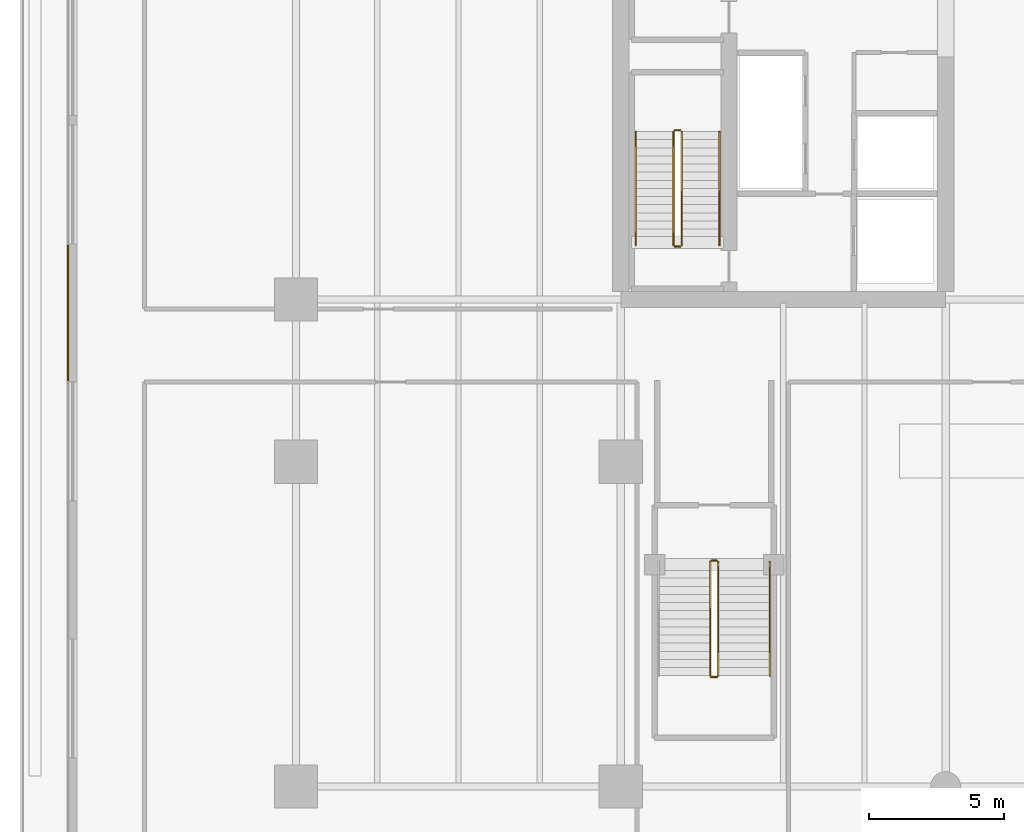
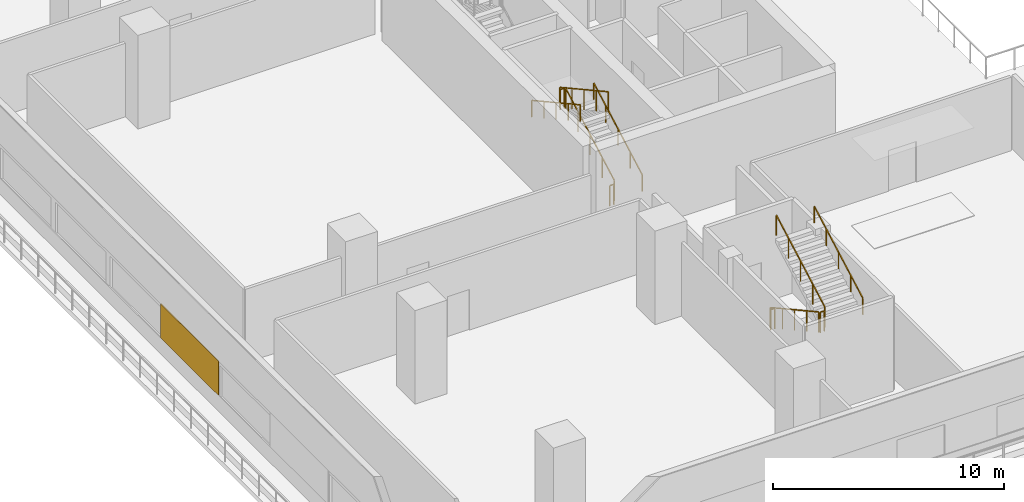
# One storey, part 19 of 27: 11 railings, 1 covering.
"""IFC4 building model written with IfcOpenShell, lengths in metres."""

from ifc_helpers import new_model, si_unit, direction, frame, origin, origin_2d, place, context, subcontext, project, spatial, rectangle, extrude, material, layer, layer_set, type_object, element, save


model = new_model("IFC4")

# Units and contexts
model_context = context("Model", 3, precision=1e-05, world=origin(), true_north=direction((0.0, 1.0)))
body_context = subcontext(model_context, "Body", "Model", "MODEL_VIEW")
ifc_project = project(units=[si_unit("LENGTHUNIT", "METRE"), si_unit("AREAUNIT", "SQUARE_METRE"), si_unit("VOLUMEUNIT", "CUBIC_METRE"), si_unit("PLANEANGLEUNIT", "RADIAN"), si_unit("MASSUNIT", "GRAM", prefix="KILO")], contexts=[model_context])

# Site, building, storey
site_placement = place(None, origin())
site = spatial("IfcSite", under=ifc_project, at=site_placement, CompositionType="ELEMENT")
building_placement = place(site_placement, origin())
building = spatial("IfcBuilding", under=site, at=building_placement, Name="Tanjung Sevakor Pilgrim Tower", CompositionType="ELEMENT")
storey_placement = place(building_placement, frame((0.0, 0.0, 9.89990234375)))
storey = spatial("IfcBuildingStorey", under=building, at=storey_placement, Name="L03", CompositionType="ELEMENT", Elevation=9.89990234375)

# Covering
ifc_material_1 = material(Name="Reconstructed Limestone Cladding", Category="masonry")
ifc_layer = layer(ifc_material_1, 0.044921875)
ifc_layer_set = layer_set([ifc_layer], Name="COV-CLAD-LIMESTONE")
covering_type = type_object("IfcCoveringType", Name="COV-CLAD-LIMESTONE", PredefinedType="CLADDING", material=ifc_layer_set)
covering_placement = place(storey_placement, frame((3.577392578125, 24.10009765625, 0.85009765625), z_axis=(0.0, 0.0, 1.0), x_axis=(0.0, -1.0, 0.0)))
element("IfcCovering", 1, at=covering_placement, inside=storey, type_object=covering_type, Name="L03 Warm Limestone Pier Panel EW-L03-MAIN-7-3", PredefinedType="CLADDING", context=body_context, shape_type="SweptSolid", body=[
    extrude(rectangle(XDim=5.0, YDim=0.044921875, at=origin_2d()), origin(), (0.0, 0.0, 1.0), 1.81005859375),
])

# Railings
ifc_material_2 = material(Name="Steel S355J2", Category="steel")
railing_type_1 = type_object("IfcRailingType", Name="RL-STAIR-GUARD", PredefinedType="GUARDRAIL", material=ifc_material_2)
railing_1_placement = place(storey_placement, frame((26.25, 26.60009765625, 0.1650390625)))
element("IfcRailing", 2, at=railing_1_placement, inside=storey, type_object=railing_type_1, Name="L03 TS-W1 stair guard 1", PredefinedType="GUARDRAIL", context=body_context, shape_type="SweptSolid", body=[
    extrude(rectangle(XDim=0.0479, YDim=0.0479), frame((0.0, 0.0, 1.076171875), z_axis=(0.0, 0.876208380975, 0.481932436249), x_axis=(-1.0, 0.0, 0.0)), (0.0, 0.0, 1.0), 4.793212890625),
    extrude(rectangle(XDim=0.042, YDim=0.042), origin(), (0.0, 0.0, 1.0), 1.052001953125),
    extrude(rectangle(XDim=0.042, YDim=0.042), frame((0.0, 1.050048828125, 0.57763671875)), (0.0, 0.0, 1.0), 1.052001953125),
    extrude(rectangle(XDim=0.042, YDim=0.042), frame((0.0, 2.10009765625, 1.155029296875)), (0.0, 0.0, 1.0), 1.052001953125),
    extrude(rectangle(XDim=0.042, YDim=0.042), frame((0.0, 3.14990234375, 1.732421875)), (0.0, 0.0, 1.0), 1.052001953125),
    extrude(rectangle(XDim=0.042, YDim=0.042), frame((0.0, 4.199951171875, 2.31005859375)), (0.0, 0.0, 1.0), 1.052001953125),
])
railing_2_placement = place(storey_placement, frame((26.199951171875, 30.85009765625, 2.47509765625)))
element("IfcRailing", 3, at=railing_2_placement, inside=storey, type_object=railing_type_1, Name="L03 TS-W1 stair guard 2", PredefinedType="GUARDRAIL", context=body_context, shape_type="SweptSolid", body=[
    extrude(rectangle(XDim=0.0479, YDim=0.0479), frame((0.0, 0.0, 1.076171875), z_axis=(-1.0, 0.0, 0.0), x_axis=(0.0, -1.0, 0.0)), (0.0, 0.0, 1.0), 0.199951171875),
    extrude(rectangle(XDim=0.042, YDim=0.042), origin(), (0.0, 0.0, 1.0), 1.052001953125),
    extrude(rectangle(XDim=0.042, YDim=0.042), frame((-0.199951171875, 0.0, 0.0)), (0.0, 0.0, 1.0), 1.052001953125),
])
railing_3_placement = place(storey_placement, frame((25.949951171875, 30.800048828125, 2.64013671875)))
element("IfcRailing", 4, at=railing_3_placement, inside=storey, type_object=railing_type_1, Name="L03 TS-W1 stair guard 3", PredefinedType="GUARDRAIL", context=body_context, shape_type="SweptSolid", body=[
    extrude(rectangle(XDim=0.0479, YDim=0.0479), frame((0.0, 0.0, 1.076171875), z_axis=(0.0, -0.876208380975, 0.481932436249), x_axis=(1.0, 0.0, 0.0)), (0.0, 0.0, 1.0), 4.793212890625),
    extrude(rectangle(XDim=0.042, YDim=0.042), origin(), (0.0, 0.0, 1.0), 1.052001953125),
    extrude(rectangle(XDim=0.042, YDim=0.042), frame((0.0, -1.050048828125, 0.57763671875)), (0.0, 0.0, 1.0), 1.052001953125),
    extrude(rectangle(XDim=0.042, YDim=0.042), frame((0.0, -2.10009765625, 1.155029296875)), (0.0, 0.0, 1.0), 1.052001953125),
    extrude(rectangle(XDim=0.042, YDim=0.042), frame((0.0, -3.14990234375, 1.732421875)), (0.0, 0.0, 1.0), 1.052001953125),
    extrude(rectangle(XDim=0.042, YDim=0.042), frame((0.0, -4.199951171875, 2.31005859375)), (0.0, 0.0, 1.0), 1.052001953125),
])
railing_4_placement = place(storey_placement, frame((26.199951171875, 26.550048828125, 0.0)))
element("IfcRailing", 5, at=railing_4_placement, inside=storey, type_object=railing_type_1, Name="L03 TS-W1 stair guard 4", PredefinedType="GUARDRAIL", context=body_context, shape_type="SweptSolid", body=[
    extrude(rectangle(XDim=0.0479, YDim=0.0479), frame((0.0, 0.0, 1.076171875), z_axis=(-1.0, 0.0, 0.0), x_axis=(0.0, -1.0, 0.0)), (0.0, 0.0, 1.0), 0.199951171875),
    extrude(rectangle(XDim=0.042, YDim=0.042), origin(), (0.0, 0.0, 1.0), 1.052001953125),
    extrude(rectangle(XDim=0.042, YDim=0.042), frame((-0.199951171875, 0.0, 0.0)), (0.0, 0.0, 1.0), 1.052001953125),
])
railing_5_placement = place(storey_placement, frame((27.300048828125, 14.89990234375, 0.1650390625)))
element("IfcRailing", 6, at=railing_5_placement, inside=storey, type_object=railing_type_1, Name="L03 PS-1 stair guard 1", PredefinedType="GUARDRAIL", context=body_context, shape_type="SweptSolid", body=[
    extrude(rectangle(XDim=0.0479, YDim=0.0479), frame((0.0, 0.0, 1.076171875), z_axis=(0.0, -0.876208380975, 0.481932436249), x_axis=(1.0, 0.0, 0.0)), (0.0, 0.0, 1.0), 4.793212890625),
    extrude(rectangle(XDim=0.042, YDim=0.042), origin(), (0.0, 0.0, 1.0), 1.052001953125),
    extrude(rectangle(XDim=0.042, YDim=0.042), frame((0.0, -1.050048828125, 0.57763671875)), (0.0, 0.0, 1.0), 1.052001953125),
    extrude(rectangle(XDim=0.042, YDim=0.042), frame((0.0, -2.10009765625, 1.155029296875)), (0.0, 0.0, 1.0), 1.052001953125),
    extrude(rectangle(XDim=0.042, YDim=0.042), frame((0.0, -3.14990234375, 1.732421875)), (0.0, 0.0, 1.0), 1.052001953125),
    extrude(rectangle(XDim=0.042, YDim=0.042), frame((0.0, -4.199951171875, 2.31005859375)), (0.0, 0.0, 1.0), 1.052001953125),
])
railing_6_placement = place(storey_placement, frame((27.35009765625, 10.64990234375, 2.47509765625)))
element("IfcRailing", 7, at=railing_6_placement, inside=storey, type_object=railing_type_1, Name="L03 PS-1 stair guard 2", PredefinedType="GUARDRAIL", context=body_context, shape_type="SweptSolid", body=[
    extrude(rectangle(XDim=0.0479, YDim=0.0479), frame((0.0, 0.0, 1.076171875), z_axis=(1.0, 0.0, 0.0), x_axis=(0.0, 1.0, 0.0)), (0.0, 0.0, 1.0), 0.199951171875),
    extrude(rectangle(XDim=0.042, YDim=0.042), origin(), (0.0, 0.0, 1.0), 1.052001953125),
    extrude(rectangle(XDim=0.042, YDim=0.042), frame((0.199951171875, 0.0, 0.0)), (0.0, 0.0, 1.0), 1.052001953125),
])
railing_7_placement = place(storey_placement, frame((27.60009765625, 10.699951171875, 2.64013671875)))
element("IfcRailing", 8, at=railing_7_placement, inside=storey, type_object=railing_type_1, Name="L03 PS-1 stair guard 3", PredefinedType="GUARDRAIL", context=body_context, shape_type="SweptSolid", body=[
    extrude(rectangle(XDim=0.0479, YDim=0.0479), frame((0.0, 0.0, 1.076171875), z_axis=(0.0, 0.876208380975, 0.481932436249), x_axis=(-1.0, 0.0, 0.0)), (0.0, 0.0, 1.0), 4.793212890625),
    extrude(rectangle(XDim=0.042, YDim=0.042), origin(), (0.0, 0.0, 1.0), 1.052001953125),
    extrude(rectangle(XDim=0.042, YDim=0.042), frame((0.0, 1.050048828125, 0.57763671875)), (0.0, 0.0, 1.0), 1.052001953125),
    extrude(rectangle(XDim=0.042, YDim=0.042), frame((0.0, 2.10009765625, 1.155029296875)), (0.0, 0.0, 1.0), 1.052001953125),
    extrude(rectangle(XDim=0.042, YDim=0.042), frame((0.0, 3.14990234375, 1.732421875)), (0.0, 0.0, 1.0), 1.052001953125),
    extrude(rectangle(XDim=0.042, YDim=0.042), frame((0.0, 4.199951171875, 2.31005859375)), (0.0, 0.0, 1.0), 1.052001953125),
])
railing_8_placement = place(storey_placement, frame((27.35009765625, 14.949951171875, 0.0)))
element("IfcRailing", 9, at=railing_8_placement, inside=storey, type_object=railing_type_1, Name="L03 PS-1 stair guard 4", PredefinedType="GUARDRAIL", context=body_context, shape_type="SweptSolid", body=[
    extrude(rectangle(XDim=0.0479, YDim=0.0479), frame((0.0, 0.0, 1.076171875), z_axis=(1.0, 0.0, 0.0), x_axis=(0.0, 1.0, 0.0)), (0.0, 0.0, 1.0), 0.199951171875),
    extrude(rectangle(XDim=0.042, YDim=0.042), origin(), (0.0, 0.0, 1.0), 1.052001953125),
    extrude(rectangle(XDim=0.042, YDim=0.042), frame((0.199951171875, 0.0, 0.0)), (0.0, 0.0, 1.0), 1.052001953125),
])
ifc_material_3 = material(Name="Steel S355J2", Category="steel")
railing_type_2 = type_object("IfcRailingType", Name="RL-STAIR-HAND", PredefinedType="HANDRAIL", material=ifc_material_3)
railing_9_placement = place(storey_placement, frame((27.64990234375, 26.60009765625, 0.1650390625)))
element("IfcRailing", 10, at=railing_9_placement, inside=storey, type_object=railing_type_2, Name="L03 TS-W1 stair handrail 1", PredefinedType="HANDRAIL", context=body_context, shape_type="SweptSolid", body=[
    extrude(rectangle(XDim=0.0479, YDim=0.0479), frame((0.0, 0.0, 0.8759765625), z_axis=(0.0, 0.876208380975, 0.481932436249), x_axis=(-1.0, 0.0, 0.0)), (0.0, 0.0, 1.0), 4.793212890625),
    extrude(rectangle(XDim=0.042, YDim=0.042), origin(), (0.0, 0.0, 1.0), 0.851806640625),
    extrude(rectangle(XDim=0.042, YDim=0.042), frame((0.0, 1.050048828125, 0.57763671875)), (0.0, 0.0, 1.0), 0.851806640625),
    extrude(rectangle(XDim=0.042, YDim=0.042), frame((0.0, 2.10009765625, 1.155029296875)), (0.0, 0.0, 1.0), 0.851806640625),
    extrude(rectangle(XDim=0.042, YDim=0.042), frame((0.0, 3.14990234375, 1.732421875)), (0.0, 0.0, 1.0), 0.851806640625),
    extrude(rectangle(XDim=0.042, YDim=0.042), frame((0.0, 4.199951171875, 2.31005859375)), (0.0, 0.0, 1.0), 0.851806640625),
])
railing_10_placement = place(storey_placement, frame((24.550048828125, 30.800048828125, 2.64013671875)))
element("IfcRailing", 11, at=railing_10_placement, inside=storey, type_object=railing_type_2, Name="L03 TS-W1 stair handrail 2", PredefinedType="HANDRAIL", context=body_context, shape_type="SweptSolid", body=[
    extrude(rectangle(XDim=0.0479, YDim=0.0479), frame((0.0, 0.0, 0.8759765625), z_axis=(0.0, -0.876208380975, 0.481932436249), x_axis=(1.0, 0.0, 0.0)), (0.0, 0.0, 1.0), 4.793212890625),
    extrude(rectangle(XDim=0.042, YDim=0.042), origin(), (0.0, 0.0, 1.0), 0.851806640625),
    extrude(rectangle(XDim=0.042, YDim=0.042), frame((0.0, -1.050048828125, 0.57763671875)), (0.0, 0.0, 1.0), 0.851806640625),
    extrude(rectangle(XDim=0.042, YDim=0.042), frame((0.0, -2.10009765625, 1.155029296875)), (0.0, 0.0, 1.0), 0.851806640625),
    extrude(rectangle(XDim=0.042, YDim=0.042), frame((0.0, -3.14990234375, 1.732421875)), (0.0, 0.0, 1.0), 0.851806640625),
    extrude(rectangle(XDim=0.042, YDim=0.042), frame((0.0, -4.199951171875, 2.31005859375)), (0.0, 0.0, 1.0), 0.851806640625),
])
railing_11_placement = place(storey_placement, frame((29.5, 10.699951171875, 2.64013671875)))
element("IfcRailing", 12, at=railing_11_placement, inside=storey, type_object=railing_type_2, Name="L03 PS-1 stair handrail 2", PredefinedType="HANDRAIL", context=body_context, shape_type="SweptSolid", body=[
    extrude(rectangle(XDim=0.0479, YDim=0.0479), frame((0.0, 0.0, 0.8759765625), z_axis=(0.0, 0.876208380975, 0.481932436249), x_axis=(-1.0, 0.0, 0.0)), (0.0, 0.0, 1.0), 4.793212890625),
    extrude(rectangle(XDim=0.042, YDim=0.042), origin(), (0.0, 0.0, 1.0), 0.851806640625),
    extrude(rectangle(XDim=0.042, YDim=0.042), frame((0.0, 1.050048828125, 0.57763671875)), (0.0, 0.0, 1.0), 0.851806640625),
    extrude(rectangle(XDim=0.042, YDim=0.042), frame((0.0, 2.10009765625, 1.155029296875)), (0.0, 0.0, 1.0), 0.851806640625),
    extrude(rectangle(XDim=0.042, YDim=0.042), frame((0.0, 3.14990234375, 1.732421875)), (0.0, 0.0, 1.0), 0.851806640625),
    extrude(rectangle(XDim=0.042, YDim=0.042), frame((0.0, 4.199951171875, 2.31005859375)), (0.0, 0.0, 1.0), 0.851806640625),
])

save(model, "model.ifc")
